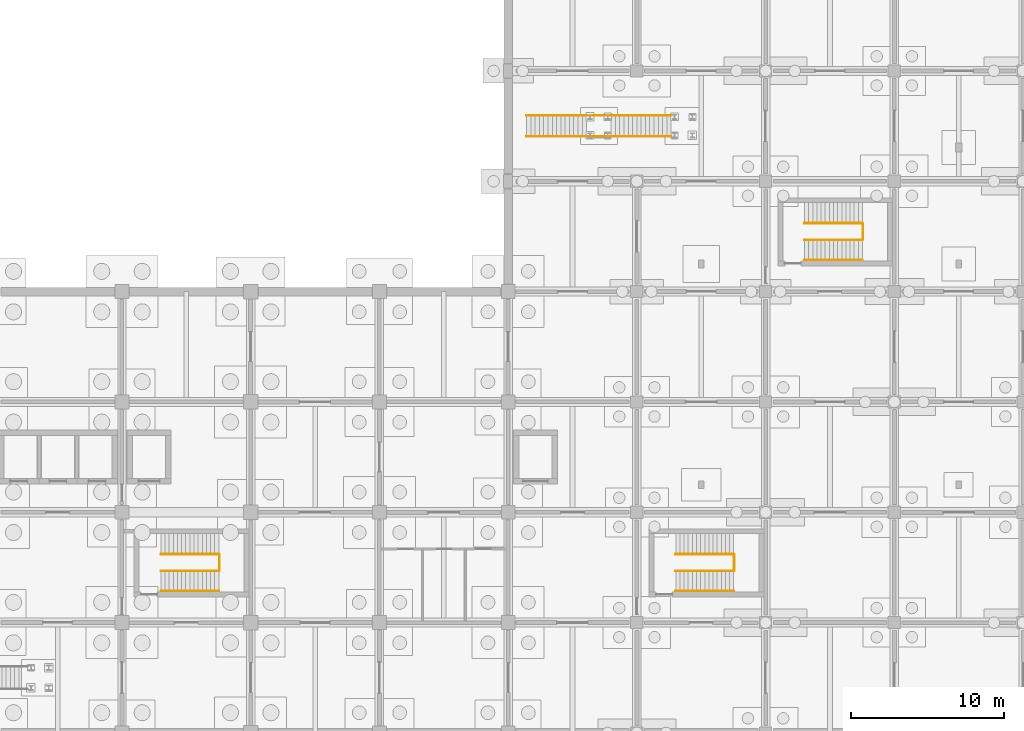
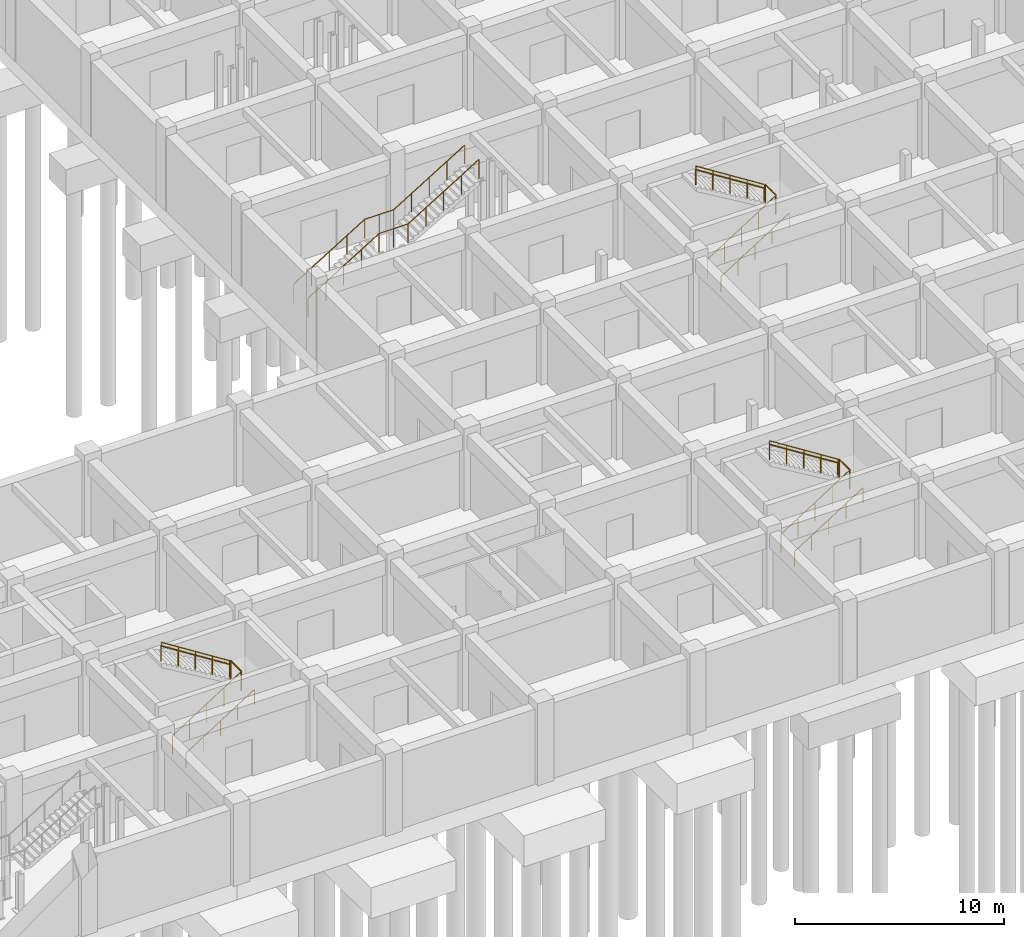
# One storey, part 38 of 38: 21 railings.
"""IFC4 building model written with IfcOpenShell, lengths in metres."""

from ifc_helpers import new_model, si_unit, derived_unit, direction, frame, origin, origin_2d, place, context, subcontext, project, spatial, circle, extrude, material, layer, layer_set, type_object, element, save


model = new_model("IFC4")

# Units and contexts
model_context = context("Model", 3, precision=1e-05, world=origin(), true_north=direction((0.0, 1.0)))
body_context = subcontext(model_context, "Body", "Model", "MODEL_VIEW")
ifc_project = project(units=[si_unit("LENGTHUNIT", "METRE"), si_unit("AREAUNIT", "SQUARE_METRE"), si_unit("VOLUMEUNIT", "CUBIC_METRE"), si_unit("PLANEANGLEUNIT", "RADIAN"), si_unit("MASSUNIT", "GRAM", prefix="KILO"), derived_unit("THERMALTRANSMITTANCEUNIT", [(si_unit("MASSUNIT", "GRAM", prefix="KILO"), 1), (si_unit("TIMEUNIT", "SECOND"), -3), (si_unit("THERMODYNAMICTEMPERATUREUNIT", "KELVIN"), -1)])], contexts=[model_context])

# Site, building, storey
site_placement = place(None, origin())
site = spatial("IfcSite", under=ifc_project, at=site_placement, CompositionType="ELEMENT")
building_placement = place(site_placement, origin())
building = spatial("IfcBuilding", under=site, at=building_placement, Name="Veldstrom Oceanarium and Marine Research Institute", CompositionType="ELEMENT")
storey_placement = place(building_placement, frame((0.0, 0.0, -9.60009765625)))
storey = spatial("IfcBuildingStorey", under=building, at=storey_placement, Name="B02", CompositionType="ELEMENT", Elevation=-9.60009765625)

# Railings
ifc_material_1 = material(Name="Duplex Stainless Steel Balustrade", Category="steel")
ifc_layer_1 = layer(ifc_material_1, 0.06005859375)
ifc_layer_set_1 = layer_set([ifc_layer_1], Name="ARC-RLG-GR1")
railing_type_1 = type_object("IfcRailingType", Name="ARC-RLG-GR1", PredefinedType="GUARDRAIL", material=ifc_layer_set_1)
railing_1_placement = place(storey_placement, frame((94.93994140625, 53.760009765625, 0.0)))
element("IfcRailing", 1, at=railing_1_placement, inside=storey, type_object=railing_type_1, Name="Stair Flight Guardrail ST2-B02-1", PredefinedType="GUARDRAIL", context=body_context, shape_type="SweptSolid", body=[
    extrude(circle(Radius=0.02392578125, at=origin_2d()), frame((0.0, 0.0, 1.09619140625), z_axis=(0.844199891302, 0.0, 0.536028491338), x_axis=(0.0, 1.0, 0.0)), (0.0, 0.0, 1.0), 4.4775390625),
    extrude(circle(Radius=0.02099609375, at=origin_2d()), origin(), (0.0, 0.0, 1.0), 1.072021484375),
    extrude(circle(Radius=0.02099609375, at=origin_2d()), frame((0.945068359375, 0.0, 0.60009765625)), (0.0, 0.0, 1.0), 1.072021484375),
    extrude(circle(Radius=0.02099609375, at=origin_2d()), frame((1.89013671875, 0.0, 1.2001953125)), (0.0, 0.0, 1.0), 1.072021484375),
    extrude(circle(Radius=0.02099609375, at=origin_2d()), frame((2.8349609375, 0.0, 1.800048828125)), (0.0, 0.0, 1.0), 1.072021484375),
    extrude(circle(Radius=0.02099609375, at=origin_2d()), frame((3.780029296875, 0.0, 2.400146484375)), (0.0, 0.0, 1.0), 1.072021484375),
])
railing_2_placement = place(storey_placement, frame((98.760009765625, 53.800048828125, 2.400146484375)))
element("IfcRailing", 2, at=railing_2_placement, inside=storey, type_object=railing_type_1, Name="Stair Half-Landing Guardrail ST2-B02", PredefinedType="GUARDRAIL", context=body_context, shape_type="SweptSolid", body=[
    extrude(circle(Radius=0.02392578125, at=origin_2d()), frame((0.0, 0.0, 1.09619140625), z_axis=(0.0, 1.0, 0.0), x_axis=(-1.0, 0.0, 0.0)), (0.0, 0.0, 1.0), 1.0),
    extrude(circle(Radius=0.02099609375, at=origin_2d()), origin(), (0.0, 0.0, 1.0), 1.072021484375),
    extrude(circle(Radius=0.02099609375, at=origin_2d()), frame((0.0, 1.0, 0.0)), (0.0, 0.0, 1.0), 1.072021484375),
])
railing_3_placement = place(storey_placement, frame((98.719970703125, 54.840087890625, 2.400146484375)))
element("IfcRailing", 3, at=railing_3_placement, inside=storey, type_object=railing_type_1, Name="Stair Flight Guardrail ST2-B02-2", PredefinedType="GUARDRAIL", context=body_context, shape_type="SweptSolid", body=[
    extrude(circle(Radius=0.02392578125, at=origin_2d()), frame((0.0, 0.0, 1.09619140625), z_axis=(-0.844224564207, 0.0, 0.535989631606), x_axis=(0.0, -1.0, 0.0)), (0.0, 0.0, 1.0), 4.4775390625),
    extrude(circle(Radius=0.02099609375, at=origin_2d()), origin(), (0.0, 0.0, 1.0), 1.072021484375),
    extrude(circle(Radius=0.02099609375, at=origin_2d()), frame((-0.945068359375, 0.0, 0.60009765625)), (0.0, 0.0, 1.0), 1.072021484375),
    extrude(circle(Radius=0.02099609375, at=origin_2d()), frame((-1.89013671875, 0.0, 1.199951171875)), (0.0, 0.0, 1.0), 1.072021484375),
    extrude(circle(Radius=0.02099609375, at=origin_2d()), frame((-2.8349609375, 0.0, 1.7998046875)), (0.0, 0.0, 1.0), 1.072021484375),
    extrude(circle(Radius=0.02099609375, at=origin_2d()), frame((-3.780029296875, 0.0, 2.39990234375)), (0.0, 0.0, 1.0), 1.072021484375),
])
railing_4_placement = place(storey_placement, frame((128.5400390625, 53.760009765625, 0.0)))
element("IfcRailing", 4, at=railing_4_placement, inside=storey, type_object=railing_type_1, Name="Stair Flight Guardrail ST4-B02-1", PredefinedType="GUARDRAIL", context=body_context, shape_type="SweptSolid", body=[
    extrude(circle(Radius=0.02392578125, at=origin_2d()), frame((0.0, 0.0, 1.09619140625), z_axis=(0.844199891302, 0.0, 0.536028491338), x_axis=(0.0, 1.0, 0.0)), (0.0, 0.0, 1.0), 4.4775390625),
    extrude(circle(Radius=0.02099609375, at=origin_2d()), origin(), (0.0, 0.0, 1.0), 1.072021484375),
    extrude(circle(Radius=0.02099609375, at=origin_2d()), frame((0.945068359375, 0.0, 0.60009765625)), (0.0, 0.0, 1.0), 1.072021484375),
    extrude(circle(Radius=0.02099609375, at=origin_2d()), frame((1.89013671875, 0.0, 1.2001953125)), (0.0, 0.0, 1.0), 1.072021484375),
    extrude(circle(Radius=0.02099609375, at=origin_2d()), frame((2.8349609375, 0.0, 1.800048828125)), (0.0, 0.0, 1.0), 1.072021484375),
    extrude(circle(Radius=0.02099609375, at=origin_2d()), frame((3.780029296875, 0.0, 2.400146484375)), (0.0, 0.0, 1.0), 1.072021484375),
])
railing_5_placement = place(storey_placement, frame((132.360107421875, 53.800048828125, 2.400146484375)))
element("IfcRailing", 5, at=railing_5_placement, inside=storey, type_object=railing_type_1, Name="Stair Half-Landing Guardrail ST4-B02", PredefinedType="GUARDRAIL", context=body_context, shape_type="SweptSolid", body=[
    extrude(circle(Radius=0.02392578125, at=origin_2d()), frame((0.0, 0.0, 1.09619140625), z_axis=(0.0, 1.0, 0.0), x_axis=(-1.0, 0.0, 0.0)), (0.0, 0.0, 1.0), 1.0),
    extrude(circle(Radius=0.02099609375, at=origin_2d()), origin(), (0.0, 0.0, 1.0), 1.072021484375),
    extrude(circle(Radius=0.02099609375, at=origin_2d()), frame((0.0, 1.0, 0.0)), (0.0, 0.0, 1.0), 1.072021484375),
])
railing_6_placement = place(storey_placement, frame((132.320068359375, 54.840087890625, 2.400146484375)))
element("IfcRailing", 6, at=railing_6_placement, inside=storey, type_object=railing_type_1, Name="Stair Flight Guardrail ST4-B02-2", PredefinedType="GUARDRAIL", context=body_context, shape_type="SweptSolid", body=[
    extrude(circle(Radius=0.02392578125, at=origin_2d()), frame((0.0, 0.0, 1.09619140625), z_axis=(-0.844224564207, 0.0, 0.535989631606), x_axis=(0.0, -1.0, 0.0)), (0.0, 0.0, 1.0), 4.4775390625),
    extrude(circle(Radius=0.02099609375, at=origin_2d()), origin(), (0.0, 0.0, 1.0), 1.072021484375),
    extrude(circle(Radius=0.02099609375, at=origin_2d()), frame((-0.945068359375, 0.0, 0.60009765625)), (0.0, 0.0, 1.0), 1.072021484375),
    extrude(circle(Radius=0.02099609375, at=origin_2d()), frame((-1.89013671875, 0.0, 1.199951171875)), (0.0, 0.0, 1.0), 1.072021484375),
    extrude(circle(Radius=0.02099609375, at=origin_2d()), frame((-2.8349609375, 0.0, 1.7998046875)), (0.0, 0.0, 1.0), 1.072021484375),
    extrude(circle(Radius=0.02099609375, at=origin_2d()), frame((-3.780029296875, 0.0, 2.39990234375)), (0.0, 0.0, 1.0), 1.072021484375),
])
railing_7_placement = place(storey_placement, frame((136.93994140625, 75.360107421875, 0.0)))
element("IfcRailing", 7, at=railing_7_placement, inside=storey, type_object=railing_type_1, Name="Stair Flight Guardrail ST7-B02-1", PredefinedType="GUARDRAIL", context=body_context, shape_type="SweptSolid", body=[
    extrude(circle(Radius=0.02392578125, at=origin_2d()), frame((0.0, 0.0, 1.09619140625), z_axis=(0.844199891302, 0.0, 0.536028491338), x_axis=(0.0, 1.0, 0.0)), (0.0, 0.0, 1.0), 4.4775390625),
    extrude(circle(Radius=0.02099609375, at=origin_2d()), origin(), (0.0, 0.0, 1.0), 1.072021484375),
    extrude(circle(Radius=0.02099609375, at=origin_2d()), frame((0.945068359375, 0.0, 0.60009765625)), (0.0, 0.0, 1.0), 1.072021484375),
    extrude(circle(Radius=0.02099609375, at=origin_2d()), frame((1.89013671875, 0.0, 1.2001953125)), (0.0, 0.0, 1.0), 1.072021484375),
    extrude(circle(Radius=0.02099609375, at=origin_2d()), frame((2.8349609375, 0.0, 1.800048828125)), (0.0, 0.0, 1.0), 1.072021484375),
    extrude(circle(Radius=0.02099609375, at=origin_2d()), frame((3.780029296875, 0.0, 2.400146484375)), (0.0, 0.0, 1.0), 1.072021484375),
])
railing_8_placement = place(storey_placement, frame((140.760009765625, 75.39990234375, 2.400146484375)))
element("IfcRailing", 8, at=railing_8_placement, inside=storey, type_object=railing_type_1, Name="Stair Half-Landing Guardrail ST7-B02", PredefinedType="GUARDRAIL", context=body_context, shape_type="SweptSolid", body=[
    extrude(circle(Radius=0.02392578125, at=origin_2d()), frame((0.0, 0.0, 1.09619140625), z_axis=(0.0, 1.0, 0.0), x_axis=(-1.0, 0.0, 0.0)), (0.0, 0.0, 1.0), 1.0),
    extrude(circle(Radius=0.02099609375, at=origin_2d()), origin(), (0.0, 0.0, 1.0), 1.072021484375),
    extrude(circle(Radius=0.02099609375, at=origin_2d()), frame((0.0, 1.0, 0.0)), (0.0, 0.0, 1.0), 1.072021484375),
])
railing_9_placement = place(storey_placement, frame((140.719970703125, 76.43994140625, 2.400146484375)))
element("IfcRailing", 9, at=railing_9_placement, inside=storey, type_object=railing_type_1, Name="Stair Flight Guardrail ST7-B02-2", PredefinedType="GUARDRAIL", context=body_context, shape_type="SweptSolid", body=[
    extrude(circle(Radius=0.02392578125, at=origin_2d()), frame((0.0, 0.0, 1.09619140625), z_axis=(-0.844224564207, 0.0, 0.535989631606), x_axis=(0.0, -1.0, 0.0)), (0.0, 0.0, 1.0), 4.4775390625),
    extrude(circle(Radius=0.02099609375, at=origin_2d()), origin(), (0.0, 0.0, 1.0), 1.072021484375),
    extrude(circle(Radius=0.02099609375, at=origin_2d()), frame((-0.945068359375, 0.0, 0.60009765625)), (0.0, 0.0, 1.0), 1.072021484375),
    extrude(circle(Radius=0.02099609375, at=origin_2d()), frame((-1.89013671875, 0.0, 1.199951171875)), (0.0, 0.0, 1.0), 1.072021484375),
    extrude(circle(Radius=0.02099609375, at=origin_2d()), frame((-2.8349609375, 0.0, 1.7998046875)), (0.0, 0.0, 1.0), 1.072021484375),
    extrude(circle(Radius=0.02099609375, at=origin_2d()), frame((-3.780029296875, 0.0, 2.39990234375)), (0.0, 0.0, 1.0), 1.072021484375),
])
railing_10_placement = place(storey_placement, frame((118.800048828125, 82.114990234375, 0.0)))
element("IfcRailing", 10, at=railing_10_placement, inside=storey, type_object=railing_type_1, Name="Gallery Stair Flight Guard ST5-03-1S", PredefinedType="GUARDRAIL", context=body_context, shape_type="SweptSolid", body=[
    extrude(circle(Radius=0.02392578125, at=origin_2d()), frame((0.0, 0.0, 1.09619140625), z_axis=(0.852832477147, 0.0, 0.522184609045), x_axis=(0.0, 1.0, 0.0)), (0.0, 0.0, 1.0), 4.596435546875),
    extrude(circle(Radius=0.02099609375, at=origin_2d()), origin(), (0.0, 0.0, 1.0), 1.072021484375),
    extrude(circle(Radius=0.02099609375, at=origin_2d()), frame((0.97998046875, 0.0, 0.60009765625)), (0.0, 0.0, 1.0), 1.072021484375),
    extrude(circle(Radius=0.02099609375, at=origin_2d()), frame((1.9599609375, 0.0, 1.2001953125)), (0.0, 0.0, 1.0), 1.072021484375),
    extrude(circle(Radius=0.02099609375, at=origin_2d()), frame((2.93994140625, 0.0, 1.800048828125)), (0.0, 0.0, 1.0), 1.072021484375),
    extrude(circle(Radius=0.02099609375, at=origin_2d()), frame((3.919921875, 0.0, 2.400146484375)), (0.0, 0.0, 1.0), 1.072021484375),
])
railing_11_placement = place(storey_placement, frame((122.719970703125, 82.114990234375, 2.400146484375)))
element("IfcRailing", 11, at=railing_11_placement, inside=storey, type_object=railing_type_1, Name="Gallery Stair Landing Guard ST5-03-MS", PredefinedType="GUARDRAIL", context=body_context, shape_type="SweptSolid", body=[
    extrude(circle(Radius=0.02392578125, at=origin_2d()), frame((0.0, 0.0, 1.09619140625), z_axis=(1.0, 0.0, 0.0), x_axis=(0.0, 1.0, 0.0)), (0.0, 0.0, 1.0), 1.60009765625),
    extrude(circle(Radius=0.02099609375, at=origin_2d()), origin(), (0.0, 0.0, 1.0), 1.072021484375),
    extrude(circle(Radius=0.02099609375, at=origin_2d()), frame((0.800048828125, 0.0, 0.0)), (0.0, 0.0, 1.0), 1.072021484375),
    extrude(circle(Radius=0.02099609375, at=origin_2d()), frame((1.60009765625, 0.0, 0.0)), (0.0, 0.0, 1.0), 1.072021484375),
])
railing_12_placement = place(storey_placement, frame((124.320068359375, 82.114990234375, 2.400146484375)))
element("IfcRailing", 12, at=railing_12_placement, inside=storey, type_object=railing_type_1, Name="Gallery Stair Flight Guard ST5-03-2S", PredefinedType="GUARDRAIL", context=body_context, shape_type="SweptSolid", body=[
    extrude(circle(Radius=0.02392578125, at=origin_2d()), frame((0.0, 0.0, 1.09619140625), z_axis=(0.852856131449, 0.0, 0.522145974847), x_axis=(0.0, 1.0, 0.0)), (0.0, 0.0, 1.0), 4.59619140625),
    extrude(circle(Radius=0.02099609375, at=origin_2d()), origin(), (0.0, 0.0, 1.0), 1.072021484375),
    extrude(circle(Radius=0.02099609375, at=origin_2d()), frame((0.97998046875, 0.0, 0.60009765625)), (0.0, 0.0, 1.0), 1.072021484375),
    extrude(circle(Radius=0.02099609375, at=origin_2d()), frame((1.9599609375, 0.0, 1.199951171875)), (0.0, 0.0, 1.0), 1.072021484375),
    extrude(circle(Radius=0.02099609375, at=origin_2d()), frame((2.93994140625, 0.0, 1.7998046875)), (0.0, 0.0, 1.0), 1.072021484375),
    extrude(circle(Radius=0.02099609375, at=origin_2d()), frame((3.919921875, 0.0, 2.39990234375)), (0.0, 0.0, 1.0), 1.072021484375),
])
railing_13_placement = place(storey_placement, frame((118.800048828125, 83.485107421875, 0.0)))
element("IfcRailing", 13, at=railing_13_placement, inside=storey, type_object=railing_type_1, Name="Gallery Stair Flight Guard ST5-03-1N", PredefinedType="GUARDRAIL", context=body_context, shape_type="SweptSolid", body=[
    extrude(circle(Radius=0.02392578125, at=origin_2d()), frame((0.0, 0.0, 1.09619140625), z_axis=(0.852832477147, 0.0, 0.522184609045), x_axis=(0.0, 1.0, 0.0)), (0.0, 0.0, 1.0), 4.596435546875),
    extrude(circle(Radius=0.02099609375, at=origin_2d()), origin(), (0.0, 0.0, 1.0), 1.072021484375),
    extrude(circle(Radius=0.02099609375, at=origin_2d()), frame((0.97998046875, 0.0, 0.60009765625)), (0.0, 0.0, 1.0), 1.072021484375),
    extrude(circle(Radius=0.02099609375, at=origin_2d()), frame((1.9599609375, 0.0, 1.2001953125)), (0.0, 0.0, 1.0), 1.072021484375),
    extrude(circle(Radius=0.02099609375, at=origin_2d()), frame((2.93994140625, 0.0, 1.800048828125)), (0.0, 0.0, 1.0), 1.072021484375),
    extrude(circle(Radius=0.02099609375, at=origin_2d()), frame((3.919921875, 0.0, 2.400146484375)), (0.0, 0.0, 1.0), 1.072021484375),
])
railing_14_placement = place(storey_placement, frame((122.719970703125, 83.485107421875, 2.400146484375)))
element("IfcRailing", 14, at=railing_14_placement, inside=storey, type_object=railing_type_1, Name="Gallery Stair Landing Guard ST5-03-MN", PredefinedType="GUARDRAIL", context=body_context, shape_type="SweptSolid", body=[
    extrude(circle(Radius=0.02392578125, at=origin_2d()), frame((0.0, 0.0, 1.09619140625), z_axis=(1.0, 0.0, 0.0), x_axis=(0.0, 1.0, 0.0)), (0.0, 0.0, 1.0), 1.60009765625),
    extrude(circle(Radius=0.02099609375, at=origin_2d()), origin(), (0.0, 0.0, 1.0), 1.072021484375),
    extrude(circle(Radius=0.02099609375, at=origin_2d()), frame((0.800048828125, 0.0, 0.0)), (0.0, 0.0, 1.0), 1.072021484375),
    extrude(circle(Radius=0.02099609375, at=origin_2d()), frame((1.60009765625, 0.0, 0.0)), (0.0, 0.0, 1.0), 1.072021484375),
])
railing_15_placement = place(storey_placement, frame((124.320068359375, 83.485107421875, 2.400146484375)))
element("IfcRailing", 15, at=railing_15_placement, inside=storey, type_object=railing_type_1, Name="Gallery Stair Flight Guard ST5-03-2N", PredefinedType="GUARDRAIL", context=body_context, shape_type="SweptSolid", body=[
    extrude(circle(Radius=0.02392578125, at=origin_2d()), frame((0.0, 0.0, 1.09619140625), z_axis=(0.852856131449, 0.0, 0.522145974847), x_axis=(0.0, 1.0, 0.0)), (0.0, 0.0, 1.0), 4.59619140625),
    extrude(circle(Radius=0.02099609375, at=origin_2d()), origin(), (0.0, 0.0, 1.0), 1.072021484375),
    extrude(circle(Radius=0.02099609375, at=origin_2d()), frame((0.97998046875, 0.0, 0.60009765625)), (0.0, 0.0, 1.0), 1.072021484375),
    extrude(circle(Radius=0.02099609375, at=origin_2d()), frame((1.9599609375, 0.0, 1.199951171875)), (0.0, 0.0, 1.0), 1.072021484375),
    extrude(circle(Radius=0.02099609375, at=origin_2d()), frame((2.93994140625, 0.0, 1.7998046875)), (0.0, 0.0, 1.0), 1.072021484375),
    extrude(circle(Radius=0.02099609375, at=origin_2d()), frame((3.919921875, 0.0, 2.39990234375)), (0.0, 0.0, 1.0), 1.072021484375),
])
ifc_material_2 = material(Name="Brushed Stainless Steel Handrail", Category="steel")
ifc_layer_2 = layer(ifc_material_2, 0.050048828125)
ifc_layer_set_2 = layer_set([ifc_layer_2], Name="ARC-RLG-HR1")
railing_type_2 = type_object("IfcRailingType", Name="ARC-RLG-HR1", PredefinedType="HANDRAIL", material=ifc_layer_set_2)
railing_16_placement = place(storey_placement, frame((94.93994140625, 52.4599609375, 0.0)))
element("IfcRailing", 16, at=railing_16_placement, inside=storey, type_object=railing_type_2, Name="Stair Wall Handrail ST2-B02-1", PredefinedType="HANDRAIL", context=body_context, shape_type="SweptSolid", body=[
    extrude(circle(Radius=0.02392578125, at=origin_2d()), frame((0.0, 0.0, 0.8759765625), z_axis=(0.844199891302, 0.0, 0.536028491338), x_axis=(0.0, 1.0, 0.0)), (0.0, 0.0, 1.0), 4.4775390625),
    extrude(circle(Radius=0.02099609375, at=origin_2d()), origin(), (0.0, 0.0, 1.0), 0.851806640625),
    extrude(circle(Radius=0.02099609375, at=origin_2d()), frame((0.945068359375, 0.0, 0.60009765625)), (0.0, 0.0, 1.0), 0.851806640625),
    extrude(circle(Radius=0.02099609375, at=origin_2d()), frame((1.89013671875, 0.0, 1.2001953125)), (0.0, 0.0, 1.0), 0.851806640625),
    extrude(circle(Radius=0.02099609375, at=origin_2d()), frame((2.8349609375, 0.0, 1.800048828125)), (0.0, 0.0, 1.0), 0.851806640625),
    extrude(circle(Radius=0.02099609375, at=origin_2d()), frame((3.780029296875, 0.0, 2.400146484375)), (0.0, 0.0, 1.0), 0.851806640625),
])
railing_17_placement = place(storey_placement, frame((98.719970703125, 54.860107421875, 2.400146484375)))
element("IfcRailing", 17, at=railing_17_placement, inside=storey, type_object=railing_type_2, Name="Stair Wall Handrail ST2-B02-2", PredefinedType="HANDRAIL", context=body_context, shape_type="SweptSolid", body=[
    extrude(circle(Radius=0.02392578125, at=origin_2d()), frame((0.0, 0.0, 0.8759765625), z_axis=(-0.844224564207, 0.0, 0.535989631606), x_axis=(0.0, -1.0, 0.0)), (0.0, 0.0, 1.0), 4.4775390625),
    extrude(circle(Radius=0.02099609375, at=origin_2d()), origin(), (0.0, 0.0, 1.0), 0.851806640625),
    extrude(circle(Radius=0.02099609375, at=origin_2d()), frame((-0.945068359375, 0.0, 0.60009765625)), (0.0, 0.0, 1.0), 0.851806640625),
    extrude(circle(Radius=0.02099609375, at=origin_2d()), frame((-1.89013671875, 0.0, 1.199951171875)), (0.0, 0.0, 1.0), 0.851806640625),
    extrude(circle(Radius=0.02099609375, at=origin_2d()), frame((-2.8349609375, 0.0, 1.7998046875)), (0.0, 0.0, 1.0), 0.851806640625),
    extrude(circle(Radius=0.02099609375, at=origin_2d()), frame((-3.780029296875, 0.0, 2.39990234375)), (0.0, 0.0, 1.0), 0.851806640625),
])
railing_18_placement = place(storey_placement, frame((128.5400390625, 52.4599609375, 0.0)))
element("IfcRailing", 18, at=railing_18_placement, inside=storey, type_object=railing_type_2, Name="Stair Wall Handrail ST4-B02-1", PredefinedType="HANDRAIL", context=body_context, shape_type="SweptSolid", body=[
    extrude(circle(Radius=0.02392578125, at=origin_2d()), frame((0.0, 0.0, 0.8759765625), z_axis=(0.844199891302, 0.0, 0.536028491338), x_axis=(0.0, 1.0, 0.0)), (0.0, 0.0, 1.0), 4.4775390625),
    extrude(circle(Radius=0.02099609375, at=origin_2d()), origin(), (0.0, 0.0, 1.0), 0.851806640625),
    extrude(circle(Radius=0.02099609375, at=origin_2d()), frame((0.945068359375, 0.0, 0.60009765625)), (0.0, 0.0, 1.0), 0.851806640625),
    extrude(circle(Radius=0.02099609375, at=origin_2d()), frame((1.89013671875, 0.0, 1.2001953125)), (0.0, 0.0, 1.0), 0.851806640625),
    extrude(circle(Radius=0.02099609375, at=origin_2d()), frame((2.8349609375, 0.0, 1.800048828125)), (0.0, 0.0, 1.0), 0.851806640625),
    extrude(circle(Radius=0.02099609375, at=origin_2d()), frame((3.780029296875, 0.0, 2.400146484375)), (0.0, 0.0, 1.0), 0.851806640625),
])
railing_19_placement = place(storey_placement, frame((132.320068359375, 54.860107421875, 2.400146484375)))
element("IfcRailing", 19, at=railing_19_placement, inside=storey, type_object=railing_type_2, Name="Stair Wall Handrail ST4-B02-2", PredefinedType="HANDRAIL", context=body_context, shape_type="SweptSolid", body=[
    extrude(circle(Radius=0.02392578125, at=origin_2d()), frame((0.0, 0.0, 0.8759765625), z_axis=(-0.844224564207, 0.0, 0.535989631606), x_axis=(0.0, -1.0, 0.0)), (0.0, 0.0, 1.0), 4.4775390625),
    extrude(circle(Radius=0.02099609375, at=origin_2d()), origin(), (0.0, 0.0, 1.0), 0.851806640625),
    extrude(circle(Radius=0.02099609375, at=origin_2d()), frame((-0.945068359375, 0.0, 0.60009765625)), (0.0, 0.0, 1.0), 0.851806640625),
    extrude(circle(Radius=0.02099609375, at=origin_2d()), frame((-1.89013671875, 0.0, 1.199951171875)), (0.0, 0.0, 1.0), 0.851806640625),
    extrude(circle(Radius=0.02099609375, at=origin_2d()), frame((-2.8349609375, 0.0, 1.7998046875)), (0.0, 0.0, 1.0), 0.851806640625),
    extrude(circle(Radius=0.02099609375, at=origin_2d()), frame((-3.780029296875, 0.0, 2.39990234375)), (0.0, 0.0, 1.0), 0.851806640625),
])
railing_20_placement = place(storey_placement, frame((136.93994140625, 74.06005859375, 0.0)))
element("IfcRailing", 20, at=railing_20_placement, inside=storey, type_object=railing_type_2, Name="Stair Wall Handrail ST7-B02-1", PredefinedType="HANDRAIL", context=body_context, shape_type="SweptSolid", body=[
    extrude(circle(Radius=0.02392578125, at=origin_2d()), frame((0.0, 0.0, 0.8759765625), z_axis=(0.844199891302, 0.0, 0.536028491338), x_axis=(0.0, 1.0, 0.0)), (0.0, 0.0, 1.0), 4.4775390625),
    extrude(circle(Radius=0.02099609375, at=origin_2d()), origin(), (0.0, 0.0, 1.0), 0.851806640625),
    extrude(circle(Radius=0.02099609375, at=origin_2d()), frame((0.945068359375, 0.0, 0.60009765625)), (0.0, 0.0, 1.0), 0.851806640625),
    extrude(circle(Radius=0.02099609375, at=origin_2d()), frame((1.89013671875, 0.0, 1.2001953125)), (0.0, 0.0, 1.0), 0.851806640625),
    extrude(circle(Radius=0.02099609375, at=origin_2d()), frame((2.8349609375, 0.0, 1.800048828125)), (0.0, 0.0, 1.0), 0.851806640625),
    extrude(circle(Radius=0.02099609375, at=origin_2d()), frame((3.780029296875, 0.0, 2.400146484375)), (0.0, 0.0, 1.0), 0.851806640625),
])
railing_21_placement = place(storey_placement, frame((140.719970703125, 76.4599609375, 2.400146484375)))
element("IfcRailing", 21, at=railing_21_placement, inside=storey, type_object=railing_type_2, Name="Stair Wall Handrail ST7-B02-2", PredefinedType="HANDRAIL", context=body_context, shape_type="SweptSolid", body=[
    extrude(circle(Radius=0.02392578125, at=origin_2d()), frame((0.0, 0.0, 0.8759765625), z_axis=(-0.844224564207, 0.0, 0.535989631606), x_axis=(0.0, -1.0, 0.0)), (0.0, 0.0, 1.0), 4.4775390625),
    extrude(circle(Radius=0.02099609375, at=origin_2d()), origin(), (0.0, 0.0, 1.0), 0.851806640625),
    extrude(circle(Radius=0.02099609375, at=origin_2d()), frame((-0.945068359375, 0.0, 0.60009765625)), (0.0, 0.0, 1.0), 0.851806640625),
    extrude(circle(Radius=0.02099609375, at=origin_2d()), frame((-1.89013671875, 0.0, 1.199951171875)), (0.0, 0.0, 1.0), 0.851806640625),
    extrude(circle(Radius=0.02099609375, at=origin_2d()), frame((-2.8349609375, 0.0, 1.7998046875)), (0.0, 0.0, 1.0), 0.851806640625),
    extrude(circle(Radius=0.02099609375, at=origin_2d()), frame((-3.780029296875, 0.0, 2.39990234375)), (0.0, 0.0, 1.0), 0.851806640625),
])

save(model, "model.ifc")
